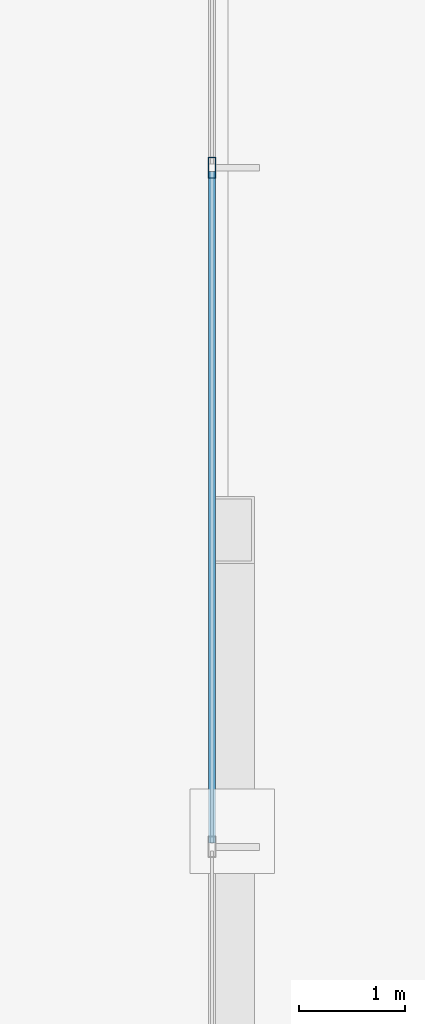
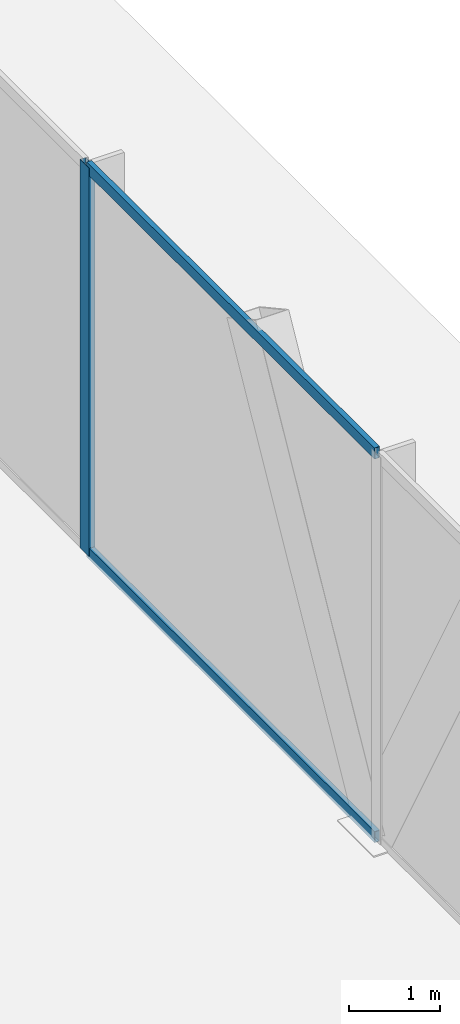
# One storey, part 23 of 38: 3 members, 1 element without a shape of its own.
"""IFC4 building model written with IfcOpenShell, lengths in metres."""

from ifc_helpers import new_model, si_unit, direction, frame, origin, origin_2d, place, context, subcontext, project, spatial, hollow_rectangle, extrude, material, layer, layer_set, material_profile, profile_set, type_object, element, aggregate, save


model = new_model("IFC4")

# Units and contexts
model_context = context("Model", 3, precision=1e-05, world=origin(), true_north=direction((0.0, 1.0)))
body_context = subcontext(model_context, "Body", "Model", "MODEL_VIEW")
ifc_project = project(units=[si_unit("LENGTHUNIT", "METRE"), si_unit("AREAUNIT", "SQUARE_METRE"), si_unit("VOLUMEUNIT", "CUBIC_METRE"), si_unit("PLANEANGLEUNIT", "RADIAN"), si_unit("MASSUNIT", "GRAM", prefix="KILO")], contexts=[model_context])

# Site, building, storey
site_placement = place(None, origin())
site = spatial("IfcSite", under=ifc_project, at=site_placement, CompositionType="ELEMENT")
building_placement = place(site_placement, origin())
building = spatial("IfcBuilding", under=site, at=building_placement, Name="Orvanel Arch Residences", CompositionType="ELEMENT")
storey_placement = place(building_placement, origin())
storey = spatial("IfcBuildingStorey", under=building, at=storey_placement, Name="L00", CompositionType="ELEMENT", Elevation=0.0)

# Curtain wall, members
ifc_material = material(Name="Bronze-anodised aluminium AA6063-T6", Category="aluminium")
ifc_layer = layer(ifc_material, 0.199951171875)
ifc_layer_set = layer_set([ifc_layer], Name="Bronze-anodised aluminium AA6063-T6")
curtain_wall_type = type_object("IfcCurtainWallType", Name="CW1-POD-SYS", PredefinedType="NOTDEFINED", material=ifc_layer_set)
curtain_wall_placement = place(storey_placement, origin())
curtain_wall = element("IfcCurtainWall", 1, at=curtain_wall_placement, inside=storey, type_object=curtain_wall_type, Name="L00 CW1-POD-SYS Unitised Curtain Wall", PredefinedType="NOTDEFINED")
ifc_material_profile_1 = material_profile(ifc_material, hollow_rectangle(XDim=0.074951171875, YDim=0.199951171875, WallThickness=0.0048828125, at=origin_2d()), Name="ALU200x75x5")
ifc_profile_set_1 = profile_set([ifc_material_profile_1], Name="Bronze-anodised aluminium AA6063-T6")
member_type_1 = type_object("IfcMemberType", Name="MUL-200x75", PredefinedType="MULLION", material=ifc_profile_set_1)
member_1_placement = place(storey_placement, frame((64.449951171875, 46.766357421875, 0.0), z_axis=(0.0, 0.0, 1.0), x_axis=(-1.0, 0.0, 0.0)))
member_1 = element("IfcMember", 2, at=member_1_placement, type_object=member_type_1, Name="CW-S1 mullion 8", PredefinedType="MULLION", context=body_context, shape_type="SweptSolid", body=[
    extrude(hollow_rectangle(XDim=0.074951171875, YDim=0.199951171875, WallThickness=0.0048828125, at=origin_2d()), origin(), (0.0, 0.0, 1.0), 5.219970703125),
])
ifc_material_profile_2 = material_profile(ifc_material, hollow_rectangle(XDim=0.06494140625, YDim=0.14990234375, WallThickness=0.00390625, at=origin_2d()), Name="ALU150x65x4")
ifc_profile_set_2 = profile_set([ifc_material_profile_2], Name="Bronze-anodised aluminium AA6063-T6")
member_type_2 = type_object("IfcMemberType", Name="TRN-150x65", PredefinedType="USERDEFINED", material=ifc_profile_set_2)
member_2_placement = place(storey_placement, frame((64.449951171875, 40.389892578125, 0.032470703125), z_axis=(0.0, 1.0, 0.0), x_axis=(-1.0, 0.0, 0.0)))
member_2 = element("IfcMember", 3, at=member_2_placement, type_object=member_type_2, Name="CW-S1 transom 7.1", ObjectType="TRANSOM", PredefinedType="USERDEFINED", context=body_context, shape_type="SweptSolid", body=[
    extrude(hollow_rectangle(XDim=0.06494140625, YDim=0.14990234375, WallThickness=0.00390625, at=origin_2d()), origin(), (0.0, 0.0, 1.0), 6.3388671875),
])
member_3_placement = place(storey_placement, frame((64.449951171875, 40.389892578125, 5.1875), z_axis=(0.0, 1.0, 0.0), x_axis=(-1.0, 0.0, 0.0)))
member_3 = element("IfcMember", 4, at=member_3_placement, type_object=member_type_2, Name="CW-S1 transom 7.2", ObjectType="TRANSOM", PredefinedType="USERDEFINED", context=body_context, shape_type="SweptSolid", body=[
    extrude(hollow_rectangle(XDim=0.06494140625, YDim=0.14990234375, WallThickness=0.00390625, at=origin_2d()), origin(), (0.0, 0.0, 1.0), 6.3388671875),
])
aggregate(curtain_wall, [member_1, member_2, member_3])

save(model, "model.ifc")
